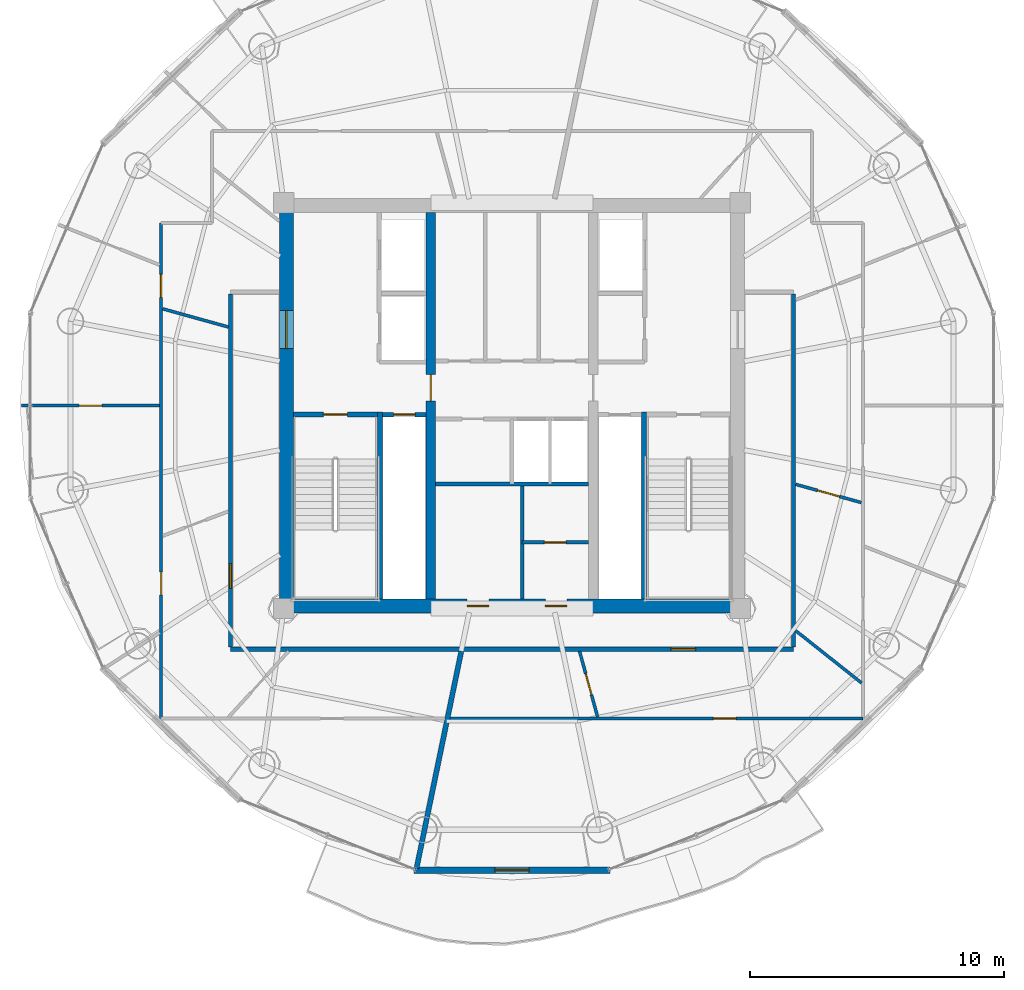
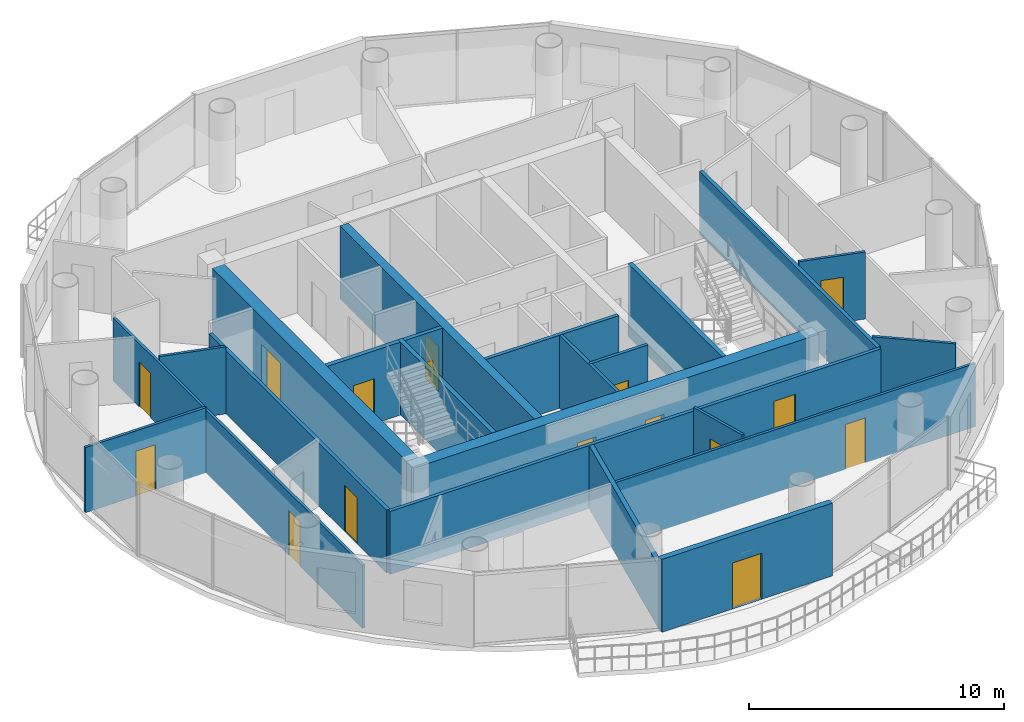
# One storey, part 14 of 21: 22 walls, 16 doors, 16 openings.
"""IFC4 building model written with IfcOpenShell, lengths in metres."""

from ifc_helpers import new_model, si_unit, direction, frame, frame_2d, origin, place, context, subcontext, project, spatial, rectangle, extrude, source, transform, mapped, material, layer, layer_set, type_object, element, fill, save


model = new_model("IFC4")

# Units and contexts
model_context = context("Model", 3, precision=1e-05, world=origin(), true_north=direction((-0.2419218956, 0.970295726276)))
body_context = subcontext(model_context, "Body", "Model", "MODEL_VIEW")
ifc_project = project(units=[si_unit("LENGTHUNIT", "METRE"), si_unit("AREAUNIT", "SQUARE_METRE"), si_unit("VOLUMEUNIT", "CUBIC_METRE"), si_unit("PLANEANGLEUNIT", "RADIAN"), si_unit("MASSUNIT", "GRAM", prefix="KILO")], contexts=[model_context])

# Site, building, storey
site_placement = place(None, origin())
site = spatial("IfcSite", under=ifc_project, at=site_placement, CompositionType="ELEMENT")
building_placement = place(site_placement, origin())
building = spatial("IfcBuilding", under=site, at=building_placement, Name="Cobrevalo Terracotta Tower", CompositionType="ELEMENT")
storey_placement = place(building_placement, frame((0.0, 0.0, 285.699951171875)))
storey = spatial("IfcBuildingStorey", under=building, at=storey_placement, Name="L75", CompositionType="ELEMENT", Elevation=285.699951171875)

# Wall, openings, doors
ifc_material_1 = material(Name="Concrete C50", Category="concrete")
ifc_layer_1 = layer(ifc_material_1, 0.550048828125)
ifc_layer_set_1 = layer_set([ifc_layer_1], Name="Concrete C50")
wall_type_1 = type_object("IfcWallType", Name="Core shear wall 550 mm Concrete C50", PredefinedType="SHEAR", material=ifc_layer_set_1)
wall_1_placement = place(storey_placement, frame((28.824951171875, 18.89990234375, 0.0), z_axis=(0.0, 0.0, 1.0), x_axis=(1.0, 0.0, 0.0)))
wall_1 = element("IfcWall", 1, at=wall_1_placement, inside=storey, type_object=wall_type_1, Name="L75 south core shear wall", PredefinedType="SHEAR", context=body_context, shape_type="SweptSolid", body=[
    extrude(rectangle(XDim=18.35009765625, YDim=0.550048828125, at=frame_2d((9.175048828125, 0.0))), origin(), (0.0, 0.0, 1.0), 3.489990234375),
])
opening_1_placement = place(wall_1_placement, frame((7.409912109375, 0.0, 0.0)))
opening_1 = element("IfcOpeningElement", 2, at=opening_1_placement, cuts=wall_1, Name="Opening ID-22", PredefinedType="OPENING", context=body_context, shape_type="SweptSolid", body=[
    extrude(rectangle(XDim=0.85009765625, YDim=2.10009765625, at=frame_2d((0.425048828125, 1.050048828125))), frame((0.0, 0.28515625, 0.0), z_axis=(0.0, -1.0, 0.0), x_axis=(1.0, 0.0, 0.0)), (0.0, 0.0, 1.0), 0.570068359375),
])
opening_2_placement = place(wall_1_placement, frame((10.489990234375, 0.0, 0.0)))
opening_2 = element("IfcOpeningElement", 3, at=opening_2_placement, cuts=wall_1, Name="Opening ID-22", PredefinedType="OPENING", context=body_context, shape_type="SweptSolid", body=[
    extrude(rectangle(XDim=0.85009765625, YDim=2.10009765625, at=frame_2d((0.425048828125, 1.050048828125))), frame((0.0, 0.28515625, 0.0), z_axis=(0.0, -1.0, 0.0), x_axis=(1.0, 0.0, 0.0)), (0.0, 0.0, 1.0), 0.570068359375),
])
ifc_material_2 = material(Name="Powder-coated steel", Category="steel")
door_type_1 = type_object("IfcDoorType", Name="Riser shaft & meter closet fire access door 850x2100 EI 60", OperationType="NOTDEFINED", PredefinedType="DOOR", material=ifc_material_2)
shared_shape_1 = source(origin(), body_context, "Body", "SweptSolid", [
    extrude(rectangle(XDim=0.85009765625, YDim=2.10009765625, at=frame_2d((0.425048828125, 1.050048828125))), frame((0.0, 0.02490234375, 0.0), z_axis=(0.0, -1.0, 0.0), x_axis=(1.0, 0.0, 0.0)), (0.0, 0.0, 1.0), 0.050048828125),
])
door_1_placement = place(opening_1_placement, origin())
door_1 = element("IfcDoor", 4, at=door_1_placement, inside=storey, type_object=door_type_1, Name="L75 core south plant door Floor AHU Mechanical Plant", OperationType="SINGLE_SWING_RIGHT", OverallHeight=2.10009765625, OverallWidth=0.85009765625, PredefinedType="DOOR", context=body_context, shape_type="MappedRepresentation", body=[
    mapped(shared_shape_1, transform((0.0, 0.0, 0.0), scale=1.0)),
])
fill(opening_1, door_1)
door_2_placement = place(opening_2_placement, origin())
door_2 = element("IfcDoor", 5, at=door_2_placement, inside=storey, type_object=door_type_1, Name="L75 core south plant door Sprinkler Valve Plant", OperationType="SINGLE_SWING_RIGHT", OverallHeight=2.10009765625, OverallWidth=0.85009765625, PredefinedType="DOOR", context=body_context, shape_type="MappedRepresentation", body=[
    mapped(shared_shape_1, transform((0.0, 0.0, 0.0), scale=1.0)),
])
fill(opening_2, door_2)

# Wall, opening, door
wall_2_placement = place(storey_placement, frame((29.10009765625, 19.175048828125, 0.0), z_axis=(0.0, 0.0, 1.0), x_axis=(0.0, 1.0, 0.0)))
wall_2 = element("IfcWall", 6, at=wall_2_placement, inside=storey, type_object=wall_type_1, Name="L75 west core shear wall", PredefinedType="SHEAR", context=body_context, shape_type="SweptSolid", body=[
    extrude(rectangle(XDim=15.25, YDim=0.550048828125, at=frame_2d((7.625, 0.0))), origin(), (0.0, 0.0, 1.0), 3.489990234375),
])
opening_3_placement = place(wall_2_placement, frame((9.875, 0.0, 0.0)))
opening_3 = element("IfcOpeningElement", 7, at=opening_3_placement, cuts=wall_2, Name="Opening ID-14", PredefinedType="OPENING", context=body_context, shape_type="SweptSolid", body=[
    extrude(rectangle(XDim=1.5, YDim=2.199951171875, at=frame_2d((0.75, 1.10009765625))), frame((0.0, 0.28515625, 0.0), z_axis=(0.0, -1.0, 0.0), x_axis=(1.0, 0.0, 0.0)), (0.0, 0.0, 1.0), 0.570068359375),
])
ifc_material_3 = material(Name="Galvanized fire-rated steel", Category="steel")
door_type_2 = type_object("IfcDoorType", Name="Core cross-lobby double fire door 1500x2200 EI 90", OperationType="NOTDEFINED", PredefinedType="DOOR", material=ifc_material_3)
shared_shape_2 = source(origin(), body_context, "Body", "SweptSolid", [
    extrude(rectangle(XDim=1.5, YDim=2.199951171875, at=frame_2d((0.75, 1.10009765625))), frame((0.0, 0.02490234375, 0.0), z_axis=(0.0, -1.0, 0.0), x_axis=(1.0, 0.0, 0.0)), (0.0, 0.0, 1.0), 0.050048828125),
])
door_3_placement = place(opening_3_placement, origin())
door_3 = element("IfcDoor", 8, at=door_3_placement, inside=storey, type_object=door_type_2, Name="L75 west firefighting lobby entrance door", OperationType="DOUBLE_DOOR_SINGLE_SWING", OverallHeight=2.199951171875, OverallWidth=1.5, PredefinedType="DOOR", context=body_context, shape_type="MappedRepresentation", body=[
    mapped(shared_shape_2, transform((0.0, 0.0, 0.0), scale=1.0)),
])
fill(opening_3, door_3)

# Wall
ifc_material_4 = material(Name="Gypsum board on steel stud", Category="steel")
ifc_layer_2 = layer(ifc_material_4, 0.159912109375)
ifc_layer_set_2 = layer_set([ifc_layer_2], Name="Gypsum board on steel stud")
wall_type_2 = type_object("IfcWallType", Name="Fire-rated corridor acoustic partition wall 160 mm", PredefinedType="PARTITIONING", material=ifc_layer_set_2)
wall_3_placement = place(storey_placement, frame((34.989990234375, 23.719970703125, 0.0), z_axis=(0.0, 0.0, 1.0), x_axis=(1.0, 0.0, 0.0)))
element("IfcWall", 9, at=wall_3_placement, inside=storey, type_object=wall_type_2, Name="L75 interior partition IW-L75-MB-S", PredefinedType="PARTITIONING", context=body_context, shape_type="SweptSolid", body=[
    extrude(rectangle(XDim=6.02001953125, YDim=0.159912109375, at=frame_2d((3.010009765625, 0.0))), origin(), (0.0, 0.0, 1.0), 3.489990234375),
])

# Wall, opening, door
wall_4_placement = place(storey_placement, frame((26.89501953125, 17.195068359375, 0.0), z_axis=(0.0, 0.0, 1.0), x_axis=(1.0, 0.0, 0.0)))
wall_4 = element("IfcWall", 10, at=wall_4_placement, inside=storey, type_object=wall_type_2, Name="L75 interior partition IW-L75-COR-S", PredefinedType="PARTITIONING", context=body_context, shape_type="SweptSolid", body=[
    extrude(rectangle(XDim=22.2099609375, YDim=0.159912109375, at=frame_2d((11.10498046875, 0.0))), origin(), (0.0, 0.0, 1.0), 3.01513671875),
])
opening_4_placement = place(wall_4_placement, frame((17.365478515625, 0.0, 0.0)))
opening_4 = element("IfcOpeningElement", 11, at=opening_4_placement, cuts=wall_4, Name="Opening ID-05", PredefinedType="OPENING", context=body_context, shape_type="SweptSolid", body=[
    extrude(rectangle(XDim=0.97998046875, YDim=2.199951171875, at=frame_2d((0.489990234375, 1.10009765625))), frame((0.0, 0.08984375, 0.0), z_axis=(0.0, -1.0, 0.0), x_axis=(1.0, 0.0, 0.0)), (0.0, 0.0, 1.0), 0.179931640625),
])
ifc_material_5 = material(Name="Solid hardwood timber", Category="wood")
door_type_3 = type_object("IfcDoorType", Name="Residence entrance fire-rated acoustic timber door 980x2200 EI 60", OperationType="NOTDEFINED", PredefinedType="DOOR", material=ifc_material_5)
shared_shape_3 = source(origin(), body_context, "Body", "SweptSolid", [
    extrude(rectangle(XDim=0.97998046875, YDim=2.199951171875, at=frame_2d((0.489990234375, 1.10009765625))), frame((0.0, 0.02490234375, 0.0), z_axis=(0.0, -1.0, 0.0), x_axis=(1.0, 0.0, 0.0)), (0.0, 0.0, 1.0), 0.050048828125),
])
door_4_placement = place(opening_4_placement, frame((0.97998046875, 0.0, 0.0), z_axis=(0.0, 0.0, 1.0), x_axis=(-1.0, 0.0, 0.0)))
door_4 = element("IfcDoor", 12, at=door_4_placement, inside=storey, type_object=door_type_3, Name="Flat L75B fire-rated apartment entrance door", OperationType="SINGLE_SWING_RIGHT", OverallHeight=2.199951171875, OverallWidth=0.97998046875, PredefinedType="DOOR", context=body_context, shape_type="MappedRepresentation", body=[
    mapped(shared_shape_3, transform((0.0, 0.0, 0.0), scale=1.0)),
])
fill(opening_4, door_4)

wall_5_placement = place(storey_placement, frame((26.89501953125, 17.27490234375, 0.0), z_axis=(0.0, 0.0, 1.0), x_axis=(0.0, 1.0, 0.0)))
wall_5 = element("IfcWall", 13, at=wall_5_placement, inside=storey, type_object=wall_type_2, Name="L75 interior partition IW-L75-COR-W", PredefinedType="PARTITIONING", context=body_context, shape_type="SweptSolid", body=[
    extrude(rectangle(XDim=13.925048828125, YDim=0.159912109375, at=frame_2d((6.96240234375, 0.0))), origin(), (0.0, 0.0, 1.0), 3.01513671875),
])
opening_5_placement = place(wall_5_placement, frame((2.321044921875, 0.0, 0.0)))
opening_5 = element("IfcOpeningElement", 14, at=opening_5_placement, cuts=wall_5, Name="Opening ID-05", PredefinedType="OPENING", context=body_context, shape_type="SweptSolid", body=[
    extrude(rectangle(XDim=0.97998046875, YDim=2.199951171875, at=frame_2d((0.489990234375, 1.10009765625))), frame((0.0, 0.08984375, 0.0), z_axis=(0.0, -1.0, 0.0), x_axis=(1.0, 0.0, 0.0)), (0.0, 0.0, 1.0), 0.179931640625),
])
door_5_placement = place(opening_5_placement, origin())
door_5 = element("IfcDoor", 15, at=door_5_placement, inside=storey, type_object=door_type_3, Name="Flat L75A fire-rated apartment entrance door", OperationType="SINGLE_SWING_LEFT", OverallHeight=2.199951171875, OverallWidth=0.97998046875, PredefinedType="DOOR", context=body_context, shape_type="MappedRepresentation", body=[
    mapped(shared_shape_3, transform((0.0, 0.0, 0.0), scale=1.0)),
])
fill(opening_5, door_5)

# Wall
wall_6_placement = place(storey_placement, frame((49.10498046875, 17.27490234375, 0.0), z_axis=(0.0, 0.0, 1.0), x_axis=(0.0, 1.0, 0.0)))
element("IfcWall", 16, at=wall_6_placement, inside=storey, type_object=wall_type_2, Name="L75 interior partition IW-L75-COR-E", PredefinedType="PARTITIONING", context=body_context, shape_type="SweptSolid", body=[
    extrude(rectangle(XDim=13.925048828125, YDim=0.159912109375, at=frame_2d((6.96240234375, 0.0))), origin(), (0.0, 0.0, 1.0), 3.01513671875),
])

# Wall, opening, door
ifc_layer_3 = layer(ifc_material_4, 0.179931640625)
ifc_layer_set_3 = layer_set([ifc_layer_3], Name="Gypsum board on steel stud")
wall_type_3 = type_object("IfcWallType", Name="Fire-rated shaft & lobby acoustic partition wall 180 mm", PredefinedType="PARTITIONING", material=ifc_layer_set_3)
wall_7_placement = place(storey_placement, frame((32.89990234375, 26.449951171875, 0.0), z_axis=(0.0, 0.0, 1.0), x_axis=(1.0, 0.0, 0.0)))
wall_7 = element("IfcWall", 17, at=wall_7_placement, inside=storey, type_object=wall_type_3, Name="L75 interior partition IW-L75-RSW-N", PredefinedType="PARTITIONING", context=body_context, shape_type="SweptSolid", body=[
    extrude(rectangle(XDim=1.710205078125, YDim=0.179931640625, at=frame_2d((0.85498046875, 0.0))), origin(), (0.0, 0.0, 1.0), 3.489990234375),
])
opening_6_placement = place(wall_7_placement, frame((0.429931640625, 0.0, 0.0)))
opening_6 = element("IfcOpeningElement", 18, at=opening_6_placement, cuts=wall_7, Name="Opening ID-22", PredefinedType="OPENING", context=body_context, shape_type="SweptSolid", body=[
    extrude(rectangle(XDim=0.85009765625, YDim=2.10009765625, at=frame_2d((0.425048828125, 1.050048828125))), frame((0.0, 0.10009765625, 0.0), z_axis=(0.0, -1.0, 0.0), x_axis=(1.0, 0.0, 0.0)), (0.0, 0.0, 1.0), 0.199951171875),
])
door_6_placement = place(opening_6_placement, origin())
door_6 = element("IfcDoor", 19, at=door_6_placement, inside=storey, type_object=door_type_1, Name="L75 riser access door RSW", OperationType="SINGLE_SWING_LEFT", OverallHeight=2.10009765625, OverallWidth=0.85009765625, PredefinedType="DOOR", context=body_context, shape_type="MappedRepresentation", body=[
    mapped(shared_shape_1, transform((0.0, 0.0, 0.0), scale=1.0)),
])
fill(opening_6, door_6)

# Wall
ifc_material_6 = material(Name="Autoclaved aerated concrete block", Category="concrete")
ifc_layer_4 = layer(ifc_material_6, 0.199951171875)
ifc_layer_set_4 = layer_set([ifc_layer_4], Name="Autoclaved aerated concrete block")
wall_type_4 = type_object("IfcWallType", Name="Fire-rated stair, shaft & demising masonry wall 200 mm", PredefinedType="PARTITIONING", material=ifc_layer_set_4)
wall_8_placement = place(storey_placement, frame((36.00146484375, 17.114990234375, 0.0), z_axis=(0.0, 0.0, 1.0), x_axis=(-0.202108543081, -0.979363128167, 0.0)))
element("IfcWall", 20, at=wall_8_placement, inside=storey, type_object=wall_type_4, Name="L75 interior partition IW-L75-DEM-2", PredefinedType="PARTITIONING", context=body_context, shape_type="SweptSolid", body=[
    extrude(rectangle(XDim=8.738525390625, YDim=0.199951171875, at=frame_2d((4.369140625, 0.0))), origin(), (0.0, 0.0, 1.0), 3.01513671875),
])

# Wall, opening, door
ifc_layer_5 = layer(ifc_material_1, 0.3798828125)
ifc_layer_set_5 = layer_set([ifc_layer_5], Name="Concrete C50")
wall_type_5 = type_object("IfcWallType", Name="Internal core shear web wall 380 mm Concrete C50", PredefinedType="SHEAR", material=ifc_layer_set_5)
wall_9_placement = place(storey_placement, frame((34.800048828125, 19.175048828125, 0.0), z_axis=(0.0, 0.0, 1.0), x_axis=(0.0, 1.0, 0.0)))
wall_9 = element("IfcWall", 21, at=wall_9_placement, inside=storey, type_object=wall_type_5, Name="L75 internal core shear wall WEB-W", PredefinedType="SHEAR", context=body_context, shape_type="SweptSolid", body=[
    extrude(rectangle(XDim=15.25, YDim=0.3798828125, at=frame_2d((7.625, 0.0))), origin(), (0.0, 0.0, 1.0), 3.489990234375),
])
opening_7_placement = place(wall_9_placement, frame((7.800048828125, 0.0, 0.0)))
opening_7 = element("IfcOpeningElement", 22, at=opening_7_placement, cuts=wall_9, Name="Opening ID-11", PredefinedType="OPENING", context=body_context, shape_type="SweptSolid", body=[
    extrude(rectangle(XDim=1.050048828125, YDim=2.14990234375, at=frame_2d((0.52490234375, 1.074951171875))), frame((0.0, 0.199951171875, 0.0), z_axis=(0.0, -1.0, 0.0), x_axis=(1.0, 0.0, 0.0)), (0.0, 0.0, 1.0), 0.39990234375),
])
door_type_4 = type_object("IfcDoorType", Name="Core concourse cross fire door 1050x2150 EI 90", OperationType="NOTDEFINED", PredefinedType="DOOR", material=ifc_material_3)
shared_shape_4 = source(origin(), body_context, "Body", "SweptSolid", [
    extrude(rectangle(XDim=1.050048828125, YDim=2.14990234375, at=frame_2d((0.52490234375, 1.074951171875))), frame((0.0, 0.02490234375, 0.0), z_axis=(0.0, -1.0, 0.0), x_axis=(1.0, 0.0, 0.0)), (0.0, 0.0, 1.0), 0.050048828125),
])
door_7_placement = place(opening_7_placement, origin())
door_7 = element("IfcDoor", 23, at=door_7_placement, inside=storey, type_object=door_type_4, Name="L75 west core concourse cross door", OperationType="SINGLE_SWING_LEFT", OverallHeight=2.14990234375, OverallWidth=1.050048828125, PredefinedType="DOOR", context=body_context, shape_type="MappedRepresentation", body=[
    mapped(shared_shape_4, transform((0.0, 0.0, 0.0), scale=1.0)),
])
fill(opening_7, door_7)

# Wall
ifc_layer_6 = layer(ifc_material_6, 0.139892578125)
ifc_layer_set_6 = layer_set([ifc_layer_6], Name="Autoclaved aerated concrete block")
wall_type_6 = type_object("IfcWallType", Name="Moisture-resistant wet-room & core service partition 140 mm", PredefinedType="PARTITIONING", material=ifc_layer_set_6)
wall_10_placement = place(storey_placement, frame((38.39990234375, 19.175048828125, 0.0), z_axis=(0.0, 0.0, 1.0), x_axis=(0.0, 1.0, 0.0)))
element("IfcWall", 24, at=wall_10_placement, inside=storey, type_object=wall_type_6, Name="L75 interior partition IW-L75-KVS-L1", PredefinedType="PARTITIONING", context=body_context, shape_type="SweptSolid", body=[
    extrude(rectangle(XDim=4.46484375, YDim=0.139892578125, at=frame_2d((2.232421875, 0.0))), origin(), (0.0, 0.0, 1.0), 3.489990234375),
])

# Wall, opening, door
wall_11_placement = place(storey_placement, frame((38.39990234375, 21.407470703125, 0.0), z_axis=(0.0, 0.0, 1.0), x_axis=(1.0, 0.0, 0.0)))
wall_11 = element("IfcWall", 25, at=wall_11_placement, inside=storey, type_object=wall_type_6, Name="L75 interior partition IW-L75-KVS-L2", PredefinedType="PARTITIONING", context=body_context, shape_type="SweptSolid", body=[
    extrude(rectangle(XDim=2.610107421875, YDim=0.139892578125, at=frame_2d((1.30517578125, 0.0))), origin(), (0.0, 0.0, 1.0), 3.489990234375),
])
opening_8_placement = place(wall_11_placement, frame((0.8798828125, 0.0, 0.0)))
opening_8 = element("IfcOpeningElement", 26, at=opening_8_placement, cuts=wall_11, Name="Opening ID-22", PredefinedType="OPENING", context=body_context, shape_type="SweptSolid", body=[
    extrude(rectangle(XDim=0.85009765625, YDim=2.10009765625, at=frame_2d((0.425048828125, 1.050048828125))), frame((0.0, 0.080078125, 0.0), z_axis=(0.0, -1.0, 0.0), x_axis=(1.0, 0.0, 0.0)), (0.0, 0.0, 1.0), 0.159912109375),
])
door_8_placement = place(opening_8_placement, origin())
door_8 = element("IfcDoor", 27, at=door_8_placement, inside=storey, type_object=door_type_1, Name="L75 core KVS-L2 inner door", OperationType="SINGLE_SWING_LEFT", OverallHeight=2.10009765625, OverallWidth=0.85009765625, PredefinedType="DOOR", context=body_context, shape_type="MappedRepresentation", body=[
    mapped(shared_shape_1, transform((0.0, 0.0, 0.0), scale=1.0)),
])
fill(opening_8, door_8)

ifc_layer_7 = layer(ifc_material_6, 0.260009765625)
ifc_layer_set_7 = layer_set([ifc_layer_7], Name="Autoclaved aerated concrete block")
wall_type_7 = type_object("IfcWallType", Name="Recessed balcony loggia insulated exterior wall 260 mm", PredefinedType="SOLIDWALL", material=ifc_layer_set_7)
wall_12_placement = place(storey_placement, frame((34.14111328125, 8.48876953125, 0.0), z_axis=(0.0, 0.0, 1.0), x_axis=(1.0, 0.0, 0.0)))
wall_12 = element("IfcWall", 28, at=wall_12_placement, inside=storey, type_object=wall_type_7, Name="L75 balcony loggia wall S12", PredefinedType="SOLIDWALL", context=body_context, shape_type="SweptSolid", body=[
    extrude(rectangle(XDim=7.7177734375, YDim=0.260009765625, at=frame_2d((3.85888671875, 0.0))), origin(), (0.0, 0.0, 1.0), 3.489990234375),
])
opening_9_placement = place(wall_12_placement, frame((3.183837890625, 0.0, 0.0)))
opening_9 = element("IfcOpeningElement", 29, at=opening_9_placement, cuts=wall_12, Name="Opening ED-05", PredefinedType="OPENING", context=body_context, shape_type="SweptSolid", body=[
    extrude(rectangle(XDim=1.35009765625, YDim=2.199951171875, at=frame_2d((0.675048828125, 1.10009765625))), frame((0.0, 0.14013671875, 0.0), z_axis=(0.0, -1.0, 0.0), x_axis=(1.0, 0.0, 0.0)), (0.0, 0.0, 1.0), 0.280029296875),
])
ifc_material_7 = material(Name="Anodized aluminium and laminated glass", Category="aluminium")
door_type_5 = type_object("IfcDoorType", Name="Suite balcony acoustic glazed terrace door 1350x2200", OperationType="NOTDEFINED", PredefinedType="DOOR", material=ifc_material_7)
shared_shape_5 = source(origin(), body_context, "Body", "SweptSolid", [
    extrude(rectangle(XDim=1.35009765625, YDim=2.199951171875, at=frame_2d((0.675048828125, 1.10009765625))), frame((0.0, 0.02490234375, 0.0), z_axis=(0.0, -1.0, 0.0), x_axis=(1.0, 0.0, 0.0)), (0.0, 0.0, 1.0), 0.050048828125),
])
door_9_placement = place(opening_9_placement, frame((1.35009765625, 0.0, 0.0), z_axis=(0.0, 0.0, 1.0), x_axis=(-1.0, 0.0, 0.0)))
door_9 = element("IfcDoor", 30, at=door_9_placement, inside=storey, type_object=door_type_5, Name="L75 glazed balcony terrace door 2", OperationType="SINGLE_SWING_RIGHT", OverallHeight=2.199951171875, OverallWidth=1.35009765625, PredefinedType="DOOR", context=body_context, shape_type="MappedRepresentation", body=[
    mapped(shared_shape_5, transform((0.0, 0.0, 0.0), scale=1.0)),
])
fill(opening_9, door_9)

# Wall, openings, doors
ifc_layer_8 = layer(ifc_material_4, 0.1201171875)
ifc_layer_set_8 = layer_set([ifc_layer_8], Name="Gypsum board on steel stud")
wall_type_8 = type_object("IfcWallType", Name="Residential internal acoustic stud partition 120 mm", PredefinedType="PARTITIONING", material=ifc_layer_set_8)
wall_13_placement = place(storey_placement, frame((24.1650390625, 14.465087890625, 0.0), z_axis=(0.0, 0.0, 1.0), x_axis=(0.0, 1.0, 0.0)))
wall_13 = element("IfcWall", 31, at=wall_13_placement, inside=storey, type_object=wall_type_8, Name="L75 interior partition IW-L75-U1-RING1_0", PredefinedType="PARTITIONING", context=body_context, shape_type="SweptSolid", body=[
    extrude(rectangle(XDim=19.544921875, YDim=0.1201171875, at=frame_2d((9.7724609375, 0.0))), origin(), (0.0, 0.0, 1.0), 3.01513671875),
])
opening_10_placement = place(wall_13_placement, frame((4.87548828125, 0.0, 0.0)))
opening_10 = element("IfcOpeningElement", 32, at=opening_10_placement, cuts=wall_13, Name="Opening ID-12", PredefinedType="OPENING", context=body_context, shape_type="SweptSolid", body=[
    extrude(rectangle(XDim=0.89990234375, YDim=2.14990234375, at=frame_2d((0.449951171875, 1.074951171875))), frame((0.0, 0.070068359375, 0.0), z_axis=(0.0, -1.0, 0.0), x_axis=(1.0, 0.0, 0.0)), (0.0, 0.0, 1.0), 0.14013671875),
])
opening_11_placement = place(wall_13_placement, frame((16.60986328125, 0.0, 0.0)))
opening_11 = element("IfcOpeningElement", 33, at=opening_11_placement, cuts=wall_13, Name="Opening ID-12", PredefinedType="OPENING", context=body_context, shape_type="SweptSolid", body=[
    extrude(rectangle(XDim=0.89990234375, YDim=2.14990234375, at=frame_2d((0.449951171875, 1.074951171875))), frame((0.0, 0.070068359375, 0.0), z_axis=(0.0, -1.0, 0.0), x_axis=(1.0, 0.0, 0.0)), (0.0, 0.0, 1.0), 0.14013671875),
])
ifc_material_8 = material(Name="Engineered timber", Category="wood")
door_type_6 = type_object("IfcDoorType", Name="Internal residence & suite timber door 900x2150", OperationType="NOTDEFINED", PredefinedType="DOOR", material=ifc_material_8)
shared_shape_6 = source(origin(), body_context, "Body", "SweptSolid", [
    extrude(rectangle(XDim=0.89990234375, YDim=2.14990234375, at=frame_2d((0.449951171875, 1.074951171875))), frame((0.0, 0.02490234375, 0.0), z_axis=(0.0, -1.0, 0.0), x_axis=(1.0, 0.0, 0.0)), (0.0, 0.0, 1.0), 0.050048828125),
])
door_10_placement = place(opening_10_placement, origin())
door_10 = element("IfcDoor", 34, at=door_10_placement, inside=storey, type_object=door_type_6, Name="Flat L75A Penthouse Family Lounge internal door", OperationType="SINGLE_SWING_RIGHT", OverallHeight=2.14990234375, OverallWidth=0.89990234375, PredefinedType="DOOR", context=body_context, shape_type="MappedRepresentation", body=[
    mapped(shared_shape_6, transform((0.0, 0.0, 0.0), scale=1.0)),
])
fill(opening_10, door_10)
door_11_placement = place(opening_11_placement, frame((0.89990234375, 0.0, 0.0), z_axis=(0.0, 0.0, 1.0), x_axis=(-1.0, 0.0, 0.0)))
door_11 = element("IfcDoor", 35, at=door_11_placement, inside=storey, type_object=door_type_6, Name="Flat L75A Private Library Meeting Room internal door", OperationType="SINGLE_SWING_LEFT", OverallHeight=2.14990234375, OverallWidth=0.89990234375, PredefinedType="DOOR", context=body_context, shape_type="MappedRepresentation", body=[
    mapped(shared_shape_6, transform((0.0, 0.0, 0.0), scale=1.0)),
])
fill(opening_11, door_11)

# Wall, opening, door
wall_14_placement = place(storey_placement, frame((24.10302734375, 26.800048828125, 0.0), z_axis=(0.0, 0.0, 1.0), x_axis=(-1.0, 0.0, 0.0)))
wall_14 = element("IfcWall", 36, at=wall_14_placement, inside=storey, type_object=wall_type_8, Name="L75 interior partition IW-L75-U1-ORAD2", PredefinedType="PARTITIONING", context=body_context, shape_type="SweptSolid", body=[
    extrude(rectangle(XDim=5.443115234375, YDim=0.1201171875, at=frame_2d((2.7216796875, 0.0))), origin(), (0.0, 0.0, 1.0), 3.12109375),
])
opening_12_placement = place(wall_14_placement, frame((2.271484375, 0.0, 0.0)))
opening_12 = element("IfcOpeningElement", 37, at=opening_12_placement, cuts=wall_14, Name="Opening ID-12", PredefinedType="OPENING", context=body_context, shape_type="SweptSolid", body=[
    extrude(rectangle(XDim=0.89990234375, YDim=2.14990234375, at=frame_2d((0.449951171875, 1.074951171875))), frame((0.0, 0.070068359375, 0.0), z_axis=(0.0, -1.0, 0.0), x_axis=(1.0, 0.0, 0.0)), (0.0, 0.0, 1.0), 0.14013671875),
])
door_12_placement = place(opening_12_placement, frame((0.89990234375, 0.0, 0.0), z_axis=(0.0, 0.0, 1.0), x_axis=(-1.0, 0.0, 0.0)))
door_12 = element("IfcDoor", 38, at=door_12_placement, inside=storey, type_object=door_type_6, Name="Flat L75A Principal Guest Bedroom internal door", OperationType="SINGLE_SWING_RIGHT", OverallHeight=2.14990234375, OverallWidth=0.89990234375, PredefinedType="DOOR", context=body_context, shape_type="MappedRepresentation", body=[
    mapped(shared_shape_6, transform((0.0, 0.0, 0.0), scale=1.0)),
])
fill(opening_12, door_12)

# Wall
wall_15_placement = place(storey_placement, frame((26.81494140625, 29.901611328125, 0.0), z_axis=(0.0, 0.0, 1.0), x_axis=(-0.963610243268, 0.267311240073, 0.0)))
element("IfcWall", 39, at=wall_15_placement, inside=storey, type_object=wall_type_8, Name="L75 interior partition IW-L75-U1-IRAD3", PredefinedType="PARTITIONING", context=body_context, shape_type="SweptSolid", body=[
    extrude(rectangle(XDim=2.68798828125, YDim=0.1201171875, at=frame_2d((1.343994140625, 0.0))), origin(), (0.0, 0.0, 1.0), 3.208984375),
])

# Wall, opening, door
wall_16_placement = place(storey_placement, frame((51.8349609375, 14.465087890625, 0.0), z_axis=(0.0, 0.0, 1.0), x_axis=(-1.0, 0.0, 0.0)))
wall_16 = element("IfcWall", 40, at=wall_16_placement, inside=storey, type_object=wall_type_8, Name="L75 interior partition IW-L75-U2-RING4_0", PredefinedType="PARTITIONING", context=body_context, shape_type="SweptSolid", body=[
    extrude(rectangle(XDim=16.2783203125, YDim=0.1201171875, at=frame_2d((8.13916015625, 0.0))), origin(), (0.0, 0.0, 1.0), 3.01513671875),
])
opening_13_placement = place(wall_16_placement, frame((4.99560546875, 0.0, 0.0)))
opening_13 = element("IfcOpeningElement", 41, at=opening_13_placement, cuts=wall_16, Name="Opening ID-12", PredefinedType="OPENING", context=body_context, shape_type="SweptSolid", body=[
    extrude(rectangle(XDim=0.89990234375, YDim=2.14990234375, at=frame_2d((0.449951171875, 1.074951171875))), frame((0.0, 0.070068359375, 0.0), z_axis=(0.0, -1.0, 0.0), x_axis=(1.0, 0.0, 0.0)), (0.0, 0.0, 1.0), 0.14013671875),
])
door_13_placement = place(opening_13_placement, frame((0.89990234375, 0.0, 0.0), z_axis=(0.0, 0.0, 1.0), x_axis=(-1.0, 0.0, 0.0)))
door_13 = element("IfcDoor", 42, at=door_13_placement, inside=storey, type_object=door_type_6, Name="Flat L75B Penthouse Living and Dining Room internal door", OperationType="SINGLE_SWING_RIGHT", OverallHeight=2.14990234375, OverallWidth=0.89990234375, PredefinedType="DOOR", context=body_context, shape_type="MappedRepresentation", body=[
    mapped(shared_shape_6, transform((0.0, 0.0, 0.0), scale=1.0)),
])
fill(opening_13, door_13)

wall_17_placement = place(storey_placement, frame((40.6640625, 17.114990234375, 0.0), z_axis=(0.0, 0.0, 1.0), x_axis=(0.265177604745, -0.964199584081, 0.0)))
wall_17 = element("IfcWall", 43, at=wall_17_placement, inside=storey, type_object=wall_type_8, Name="L75 interior partition IW-L75-U2-IRAD1", PredefinedType="PARTITIONING", context=body_context, shape_type="SweptSolid", body=[
    extrude(rectangle(XDim=2.6865234375, YDim=0.1201171875, at=frame_2d((1.34326171875, 0.0))), origin(), (0.0, 0.0, 1.0), 3.208984375),
])
opening_14_placement = place(wall_17_placement, frame((0.9130859375, 0.0, 0.0)))
opening_14 = element("IfcOpeningElement", 44, at=opening_14_placement, cuts=wall_17, Name="Opening ID-19", PredefinedType="OPENING", context=body_context, shape_type="SweptSolid", body=[
    extrude(rectangle(XDim=0.860107421875, YDim=2.14990234375, at=frame_2d((0.43017578125, 1.074951171875))), frame((0.0, 0.070068359375, 0.0), z_axis=(0.0, -1.0, 0.0), x_axis=(1.0, 0.0, 0.0)), (0.0, 0.0, 1.0), 0.14013671875),
])
ifc_material_9 = material(Name="Moisture-sealed timber", Category="wood")
door_type_7 = type_object("IfcDoorType", Name="Suite bathroom internal timber door 860x2150", OperationType="NOTDEFINED", PredefinedType="DOOR", material=ifc_material_9)
shared_shape_7 = source(origin(), body_context, "Body", "SweptSolid", [
    extrude(rectangle(XDim=0.860107421875, YDim=2.14990234375, at=frame_2d((0.43017578125, 1.074951171875))), frame((0.0, 0.02490234375, 0.0), z_axis=(0.0, -1.0, 0.0), x_axis=(1.0, 0.0, 0.0)), (0.0, 0.0, 1.0), 0.050048828125),
])
door_14_placement = place(opening_14_placement, frame((0.860107421875, 0.0, 0.0), z_axis=(0.0, 0.0, 1.0), x_axis=(-1.0, 0.0, 0.0)))
door_14 = element("IfcDoor", 45, at=door_14_placement, inside=storey, type_object=door_type_7, Name="Flat L75B Primary Bathroom internal door", OperationType="SINGLE_SWING_LEFT", OverallHeight=2.14990234375, OverallWidth=0.860107421875, PredefinedType="DOOR", context=body_context, shape_type="MappedRepresentation", body=[
    mapped(shared_shape_7, transform((0.0, 0.0, 0.0), scale=1.0)),
])
fill(opening_14, door_14)

# Wall
wall_18_placement = place(storey_placement, frame((49.18505859375, 17.92822265625, 0.0), z_axis=(0.0, 0.0, 1.0), x_axis=(0.78348039615, -0.621416501912, 0.0)))
element("IfcWall", 46, at=wall_18_placement, inside=storey, type_object=wall_type_8, Name="L75 interior partition IW-L75-U2-IRAD2", PredefinedType="PARTITIONING", context=body_context, shape_type="SweptSolid", body=[
    extrude(rectangle(XDim=3.3203125, YDim=0.1201171875, at=frame_2d((1.66015625, 0.0))), origin(), (0.0, 0.0, 1.0), 3.12109375),
])

# Wall, opening, door
wall_19_placement = place(storey_placement, frame((49.18505859375, 23.6982421875, 0.0), z_axis=(0.0, 0.0, 1.0), x_axis=(0.963633636359, -0.267226897744, 0.0)))
wall_19 = element("IfcWall", 47, at=wall_19_placement, inside=storey, type_object=wall_type_8, Name="L75 interior partition IW-L75-U2-IRAD3", PredefinedType="PARTITIONING", context=body_context, shape_type="SweptSolid", body=[
    extrude(rectangle(XDim=2.687744140625, YDim=0.1201171875, at=frame_2d((1.34375, 0.0))), origin(), (0.0, 0.0, 1.0), 3.208984375),
])
opening_15_placement = place(wall_19_placement, frame((0.89404296875, 0.0, 0.0)))
opening_15 = element("IfcOpeningElement", 48, at=opening_15_placement, cuts=wall_19, Name="Opening ID-12", PredefinedType="OPENING", context=body_context, shape_type="SweptSolid", body=[
    extrude(rectangle(XDim=0.89990234375, YDim=2.14990234375, at=frame_2d((0.449951171875, 1.074951171875))), frame((0.0, 0.070068359375, 0.0), z_axis=(0.0, -1.0, 0.0), x_axis=(1.0, 0.0, 0.0)), (0.0, 0.0, 1.0), 0.14013671875),
])
door_15_placement = place(opening_15_placement, origin())
door_15 = element("IfcDoor", 49, at=door_15_placement, inside=storey, type_object=door_type_6, Name="Flat L75B Private Library Meeting Room internal door", OperationType="SINGLE_SWING_RIGHT", OverallHeight=2.14990234375, OverallWidth=0.89990234375, PredefinedType="DOOR", context=body_context, shape_type="MappedRepresentation", body=[
    mapped(shared_shape_6, transform((0.0, 0.0, 0.0), scale=1.0)),
])
fill(opening_15, door_15)

# Wall
ifc_layer_9 = layer(ifc_material_1, 0.199951171875)
ifc_layer_set_9 = layer_set([ifc_layer_9], Name="Concrete C50")
wall_type_9 = type_object("IfcWallType", Name="Structural core & podium stair-shaft RC wall 200 mm Concrete C50", PredefinedType="SOLIDWALL", material=ifc_layer_set_9)
wall_20_placement = place(storey_placement, frame((32.794921875, 19.175048828125, 0.0), z_axis=(0.0, 0.0, 1.0), x_axis=(0.0, 1.0, 0.0)))
element("IfcWall", 50, at=wall_20_placement, inside=storey, type_object=wall_type_9, Name="L75 ST-1 east structural shaft wall", PredefinedType="SOLIDWALL", context=body_context, shape_type="SweptSolid", body=[
    extrude(rectangle(XDim=7.375, YDim=0.199951171875, at=frame_2d((3.6875, 0.0))), origin(), (0.0, 0.0, 1.0), 3.489990234375),
])

# Wall, opening, door
wall_21_placement = place(storey_placement, frame((29.375, 26.449951171875, 0.0), z_axis=(0.0, 0.0, 1.0), x_axis=(1.0, 0.0, 0.0)))
wall_21 = element("IfcWall", 51, at=wall_21_placement, inside=storey, type_object=wall_type_9, Name="L75 ST-1 north structural shaft wall", PredefinedType="SOLIDWALL", context=body_context, shape_type="SweptSolid", body=[
    extrude(rectangle(XDim=3.320068359375, YDim=0.199951171875, at=frame_2d((1.66015625, 0.0))), origin(), (0.0, 0.0, 1.0), 3.489990234375),
])
opening_16_placement = place(wall_21_placement, frame((1.18505859375, 0.0, 0.0)))
opening_16 = element("IfcOpeningElement", 52, at=opening_16_placement, cuts=wall_21, Name="Opening ID-04", PredefinedType="OPENING", context=body_context, shape_type="SweptSolid", body=[
    extrude(rectangle(XDim=0.949951171875, YDim=2.14990234375, at=frame_2d((0.47509765625, 1.074951171875))), frame((0.0, 0.10986328125, 0.0), z_axis=(0.0, -1.0, 0.0), x_axis=(1.0, 0.0, 0.0)), (0.0, 0.0, 1.0), 0.219970703125),
])
door_type_8 = type_object("IfcDoorType", Name="Stair & firefighting lobby fire door 950x2150 EI 90", OperationType="NOTDEFINED", PredefinedType="DOOR", material=ifc_material_3)
shared_shape_8 = source(origin(), body_context, "Body", "SweptSolid", [
    extrude(rectangle(XDim=0.949951171875, YDim=2.14990234375, at=frame_2d((0.47509765625, 1.074951171875))), frame((0.0, 0.02490234375, 0.0), z_axis=(0.0, -1.0, 0.0), x_axis=(1.0, 0.0, 0.0)), (0.0, 0.0, 1.0), 0.050048828125),
])
door_16_placement = place(opening_16_placement, origin())
door_16 = element("IfcDoor", 53, at=door_16_placement, inside=storey, type_object=door_type_8, Name="L75 protected stair ST1 fire door", OperationType="SINGLE_SWING_LEFT", OverallHeight=2.14990234375, OverallWidth=0.949951171875, PredefinedType="DOOR", context=body_context, shape_type="MappedRepresentation", body=[
    mapped(shared_shape_8, transform((0.0, 0.0, 0.0), scale=1.0)),
])
fill(opening_16, door_16)

# Wall
wall_22_placement = place(storey_placement, frame((43.205078125, 19.175048828125, 0.0), z_axis=(0.0, 0.0, 1.0), x_axis=(0.0, 1.0, 0.0)))
element("IfcWall", 54, at=wall_22_placement, inside=storey, type_object=wall_type_9, Name="L75 ST-2 west structural shaft wall", PredefinedType="SOLIDWALL", context=body_context, shape_type="SweptSolid", body=[
    extrude(rectangle(XDim=7.375, YDim=0.199951171875, at=frame_2d((3.6875, 0.0))), origin(), (0.0, 0.0, 1.0), 3.489990234375),
])

save(model, "model.ifc")
